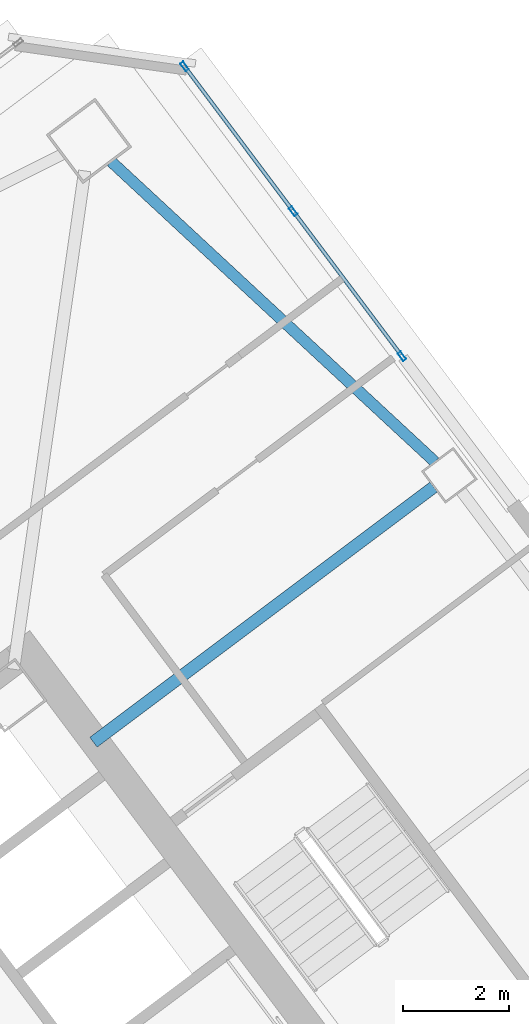
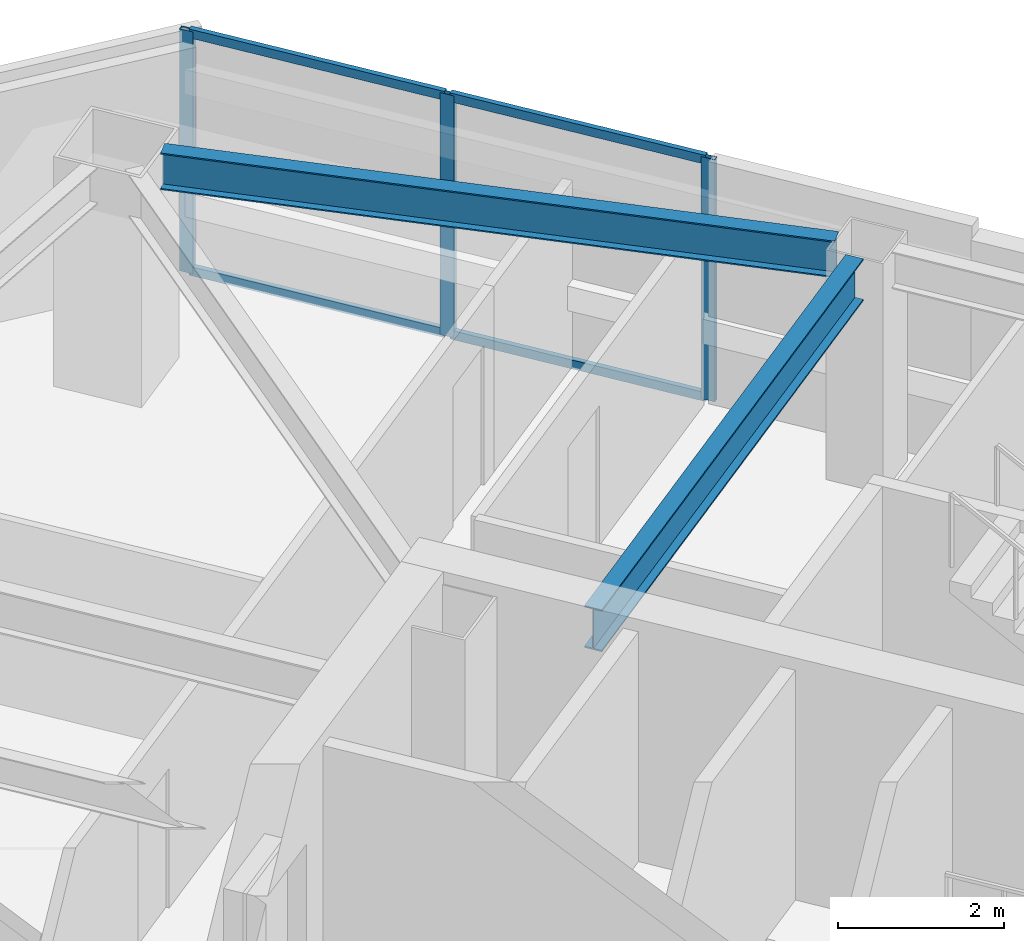
# One storey, part 30 of 43: 7 members, 2 beams, 1 element without a shape of its own.
"""IFC4 building model written with IfcOpenShell, lengths in metres."""

import ifcopenshell
import ifcopenshell.guid

model = None  # the IFC model being written
_history = None  # IfcOwnerHistory: only IFC2X3 demands one
_inside = {}  # id of a spatial element -> (the spatial element, [elements in it])
_under = {}  # id of a project, library or spatial element -> (it, [spatial elements below it])
_declared = {}  # id of a project -> (the project, [libraries it declares])
_typed = {}  # id of a type object -> (the type object, [elements of that type])
_made_of = {}  # id of a material, layer set ... -> (it, [elements and type objects made of it])


def new_model(schema):
    """Start an empty IFC model of exactly this schema.

    Asked for "IFC4X3", IfcOpenShell would pick the latest addendum, in which some entities
    have other attributes; the version numbers below select the first issue.
    IFC2X3 requires an IfcOwnerHistory on every rooted entity: one is made here for all.
    """
    global model, _history
    if schema == "IFC4X3":
        model = ifcopenshell.file(schema_version=(4, 3, 0, 0))
    else:
        model = ifcopenshell.file(schema=schema)
    _inside.clear()
    _under.clear()
    _declared.clear()
    _typed.clear()
    _made_of.clear()
    _history = None
    if model.schema == "IFC2X3":
        org = make("IfcOrganization", Name="unknown")
        user = make(
            "IfcPersonAndOrganization",
            ThePerson=make("IfcPerson", FamilyName="unknown"),
            TheOrganization=org,
        )
        app = make(
            "IfcApplication",
            ApplicationDeveloper=org,
            Version="unknown",
            ApplicationFullName="unknown",
            ApplicationIdentifier="unknown",
        )
        _history = make(
            "IfcOwnerHistory",
            OwningUser=user,
            OwningApplication=app,
            ChangeAction="ADDED",
            CreationDate=0,
        )
    return model


def make(cls, **values):
    """One entity of the class cls with the attributes given. An attribute that is None is left unset."""
    return model.create_entity(
        cls, **{name: value for name, value in values.items() if value is not None}
    )


def rooted(cls, **values):
    """An entity with a GlobalId (a new one), such as an element, a storey or a relation."""
    return make(cls, GlobalId=ifcopenshell.guid.new(), OwnerHistory=_history, **values)


def si_unit(unit_type, name, prefix=None):
    """IfcSIUnit, for example si_unit("LENGTHUNIT", "METRE", prefix="MILLI")."""
    return make("IfcSIUnit", UnitType=unit_type, Prefix=prefix, Name=name)


def assignment(units):
    """IfcUnitAssignment: the units of a project."""
    return None if units is None else make("IfcUnitAssignment", Units=units)


def point(xyz):
    """IfcCartesianPoint."""
    return None if xyz is None else make("IfcCartesianPoint", Coordinates=xyz)


def direction(xyz):
    """IfcDirection."""
    return None if xyz is None else make("IfcDirection", DirectionRatios=xyz)


def frame(location, z_axis=None, x_axis=None):
    """IfcAxis2Placement3D, a coordinate frame: its origin and axes. An axis left out is left unset."""
    return make(
        "IfcAxis2Placement3D",
        Location=point(location),
        Axis=direction(z_axis),
        RefDirection=direction(x_axis),
    )


def frame_2d(location, x_axis=None):
    """IfcAxis2Placement2D, a coordinate frame in the plane: its origin and x axis."""
    return make(
        "IfcAxis2Placement2D", Location=point(location), RefDirection=direction(x_axis)
    )


def origin():
    """The frame at (0, 0, 0) with its axes left unset."""
    return frame((0.0, 0.0, 0.0))


def origin_2d():
    """The frame at (0, 0) in the plane with its x axis left unset."""
    return frame_2d((0.0, 0.0))


def place(relative_to, where):
    """IfcLocalPlacement: puts the frame where relative to a parent placement (None: the world)."""
    return make(
        "IfcLocalPlacement", PlacementRelTo=relative_to, RelativePlacement=where
    )


def context(
    kind, dimensions, precision=None, world=None, true_north=None, identifier=None
):
    """IfcGeometricRepresentationContext, for example the 3D "Model" context."""
    return make(
        "IfcGeometricRepresentationContext",
        ContextIdentifier=identifier,
        ContextType=kind,
        CoordinateSpaceDimension=dimensions,
        Precision=precision,
        WorldCoordinateSystem=world,
        TrueNorth=true_north,
    )


def subcontext(parent, identifier, kind, view, scale=None):
    """IfcGeometricRepresentationSubContext, for example "Body" below "Model"."""
    return make(
        "IfcGeometricRepresentationSubContext",
        ContextIdentifier=identifier,
        ContextType=kind,
        ParentContext=parent,
        TargetScale=scale,
        TargetView=view,
    )


def project(units=None, contexts=None):
    """IfcProject with its units and contexts."""
    return rooted(
        "IfcProject",
        Name="project",
        RepresentationContexts=contexts,
        UnitsInContext=assignment(units),
    )


def spatial(cls, under=None, at=None, **own):
    """A site, building, storey or space (cls), placed at a placement, below another one or the project."""
    s = rooted(cls, ObjectPlacement=at, **own)
    if under is not None:
        _under.setdefault(under.id(), (under, []))[1].append(s)
    return s


def profile(cls, at=None, kind="AREA", **sizes):
    """A parametric profile (cls). Its sizes go by their IFC names, for example OverallWidth=200.0."""
    return make(cls, ProfileType=kind, Position=at, **sizes)


def hollow_rectangle(**sizes):
    """IfcRectangleHollowProfileDef."""
    return profile("IfcRectangleHollowProfileDef", **sizes)


def i_section(**sizes):
    """IfcIShapeProfileDef."""
    return profile("IfcIShapeProfileDef", **sizes)


def extrude(swept, where, along, depth):
    """IfcExtrudedAreaSolid: the profile swept, set in the frame where, extruded along a direction by depth."""
    return make(
        "IfcExtrudedAreaSolid",
        SweptArea=swept,
        Position=where,
        ExtrudedDirection=direction(along),
        Depth=depth,
    )


def shape(context_of_items, identifier, shape_type, items):
    """IfcShapeRepresentation: the items that make up one representation, for example the "Body"."""
    return make(
        "IfcShapeRepresentation",
        ContextOfItems=context_of_items,
        RepresentationIdentifier=identifier,
        RepresentationType=shape_type,
        Items=items,
    )


def material(Name=None, Category=None):
    """IfcMaterial."""
    return make("IfcMaterial", Name=Name, Category=Category)


def material_profile(
    of_material, cross_section, Name=None, Category=None, Priority=None
):
    """IfcMaterialProfile: a cross section and its material."""
    return make(
        "IfcMaterialProfile",
        Name=Name,
        Material=of_material,
        Profile=cross_section,
        Priority=Priority,
        Category=Category,
    )


def profile_set(profiles, Name=None, composite=None):
    """IfcMaterialProfileSet."""
    return make(
        "IfcMaterialProfileSet",
        Name=Name,
        MaterialProfiles=profiles,
        CompositeProfile=composite,
    )


def made_of(thing, what):
    """Note that an element or type object is made of a material, layer set ...; save() writes the relation."""
    if what is not None:
        _made_of.setdefault(what.id(), (what, []))[1].append(thing)
    return thing


def type_object(cls, material=None, **own):
    """A type object (cls), such as IfcWallType, which elements share."""
    return made_of(rooted(cls, **own), material)


def element(
    cls,
    number,
    at=None,
    inside=None,
    cuts=None,
    type_object=None,
    material=None,
    context=None,
    identifier="Body",
    shape_type=None,
    held_by="IfcProductDefinitionShape",
    body=None,
    shapes=None,
    **own,
):
    """One element of the class cls, such as IfcWall. Its Tag is "e" and its number.

    at: its placement. inside: the storey or other place that contains it. cuts: it is an
    opening in that element (IfcRelVoidsElement). A single representation is given by context,
    identifier, shape_type and body (its items); several are given by shapes. held_by: the class
    of the entity that holds the representations. save() writes the other relations.
    """
    e = rooted(cls, Tag="e%d" % number, ObjectPlacement=at, **own)
    if body is not None:
        shapes = [shape(context, identifier, shape_type, body)]
    if shapes is not None:
        e.Representation = make(held_by, Representations=shapes)
    if inside is not None:
        _inside.setdefault(inside.id(), (inside, []))[1].append(e)
    if cuts is not None:
        rooted(
            "IfcRelVoidsElement", RelatingBuildingElement=cuts, RelatedOpeningElement=e
        )
    if type_object is not None:
        _typed.setdefault(type_object.id(), (type_object, []))[1].append(e)
    return made_of(e, material)


def aggregate(whole, parts):
    """IfcRelAggregates: a whole, such as a stair, and the parts it consists of."""
    return rooted("IfcRelAggregates", RelatingObject=whole, RelatedObjects=parts)


def save(model, path):
    """Write the relations noted so far, then the file.

    IfcRelAggregates (storeys below a building ...), IfcRelContainedInSpatialStructure (elements
    in a storey), IfcRelDefinesByType, IfcRelAssociatesMaterial and IfcRelDeclares: one each for
    every whole, place, type object, material and project.
    """
    for whole, parts in _under.values():
        aggregate(whole, parts)
    for where, things in _inside.values():
        rooted(
            "IfcRelContainedInSpatialStructure",
            RelatedElements=things,
            RelatingStructure=where,
        )
    for kind, things in _typed.values():
        rooted("IfcRelDefinesByType", RelatedObjects=things, RelatingType=kind)
    for what, things in _made_of.values():
        rooted("IfcRelAssociatesMaterial", RelatedObjects=things, RelatingMaterial=what)
    for by, libraries in _declared.values():
        rooted("IfcRelDeclares", RelatingContext=by, RelatedDefinitions=libraries)
    model.write(path)


model = new_model("IFC4")

# Units and contexts
model_context = context("Model", 3, precision=1e-05, world=origin(), true_north=direction((0.0, 1.0)))
body_context = subcontext(model_context, "Body", "Model", "MODEL_VIEW")
ifc_project = project(units=[si_unit("LENGTHUNIT", "METRE"), si_unit("AREAUNIT", "SQUARE_METRE"), si_unit("VOLUMEUNIT", "CUBIC_METRE"), si_unit("PLANEANGLEUNIT", "RADIAN"), si_unit("MASSUNIT", "GRAM", prefix="KILO")], contexts=[model_context])

# Site, building, storey
site_placement = place(None, origin())
site = spatial("IfcSite", under=ifc_project, at=site_placement, CompositionType="ELEMENT")
building_placement = place(site_placement, origin())
building = spatial("IfcBuilding", under=site, at=building_placement, Name="Tashvorn Skyway Center", CompositionType="ELEMENT")
storey_placement = place(building_placement, frame((0.0, 0.0, 185.39990234375)))
storey = spatial("IfcBuildingStorey", under=building, at=storey_placement, Name="L50", CompositionType="ELEMENT", Elevation=185.39990234375)

# Beams
ifc_material_1 = material(Name="Steel ASTM A992 Grade 50", Category="steel")
ifc_material_profile_1 = material_profile(ifc_material_1, i_section(OverallWidth=0.22998046875, OverallDepth=0.616943359375, WebThickness=0.01318359375, FlangeThickness=0.022216796875, at=origin_2d()), Name="W24X94")
ifc_profile_set_1 = profile_set([ifc_material_profile_1], Name="Steel ASTM A992 Grade 50")
beam_type_1 = type_object("IfcBeamType", Name="BM-BEAM-W24X94", PredefinedType="BEAM", material=ifc_profile_set_1)
beam_1_placement = place(storey_placement, frame((123.384033203125, 45.7880859375, 3.0615234375), z_axis=(-0.800003662027, -0.599995117266, 0.0), x_axis=(0.599995117266, -0.800003662027, 0.0)))
element("IfcBeam", 1, at=beam_1_placement, inside=storey, type_object=beam_type_1, Name="Tower 2 L50 Primary Floor Girder FC-E2", PredefinedType="BEAM", context=body_context, shape_type="SweptSolid", body=[
    extrude(i_section(OverallWidth=0.22998046875, OverallDepth=0.616943359375, WebThickness=0.01318359375, FlangeThickness=0.022216796875, at=origin_2d()), origin(), (0.0, 0.0, 1.0), 8.000244140625),
])
ifc_material_profile_2 = material_profile(ifc_material_1, i_section(OverallWidth=0.2109375, OverallDepth=0.5390625, WebThickness=0.01171875, FlangeThickness=0.018798828125, at=origin_2d()), Name="W21X73")
ifc_profile_set_2 = profile_set([ifc_material_profile_2], Name="Steel ASTM A992 Grade 50")
beam_type_2 = type_object("IfcBeamType", Name="BM-SPANDREL-W21X73", PredefinedType="SPANDREL", material=ifc_profile_set_2)
beam_2_placement = place(storey_placement, frame((123.40869140625, 46.26171875, 3.1005859375), z_axis=(-0.733101115618, 0.680119661736, 0.0), x_axis=(-0.680119661736, -0.733101115618, 0.0)))
element("IfcBeam", 2, at=beam_2_placement, inside=storey, type_object=beam_type_2, Name="Tower 2 L50 Spandrel Beam 06", PredefinedType="SPANDREL", context=body_context, shape_type="SweptSolid", body=[
    extrude(i_section(OverallWidth=0.2109375, OverallDepth=0.5390625, WebThickness=0.01171875, FlangeThickness=0.018798828125, at=origin_2d()), origin(), (0.0, 0.0, 1.0), 8.308349609375),
])

# Curtain wall, members
ifc_material_2 = material(Name="Thermally broken bronze-anodized aluminium 6063-T6", Category="aluminium")
curtain_wall_type = type_object("IfcCurtainWallType", Name="CW-CW-Z4", PredefinedType="NOTDEFINED", material=ifc_material_2)
curtain_wall_placement = place(storey_placement, origin())
curtain_wall = element("IfcCurtainWall", 3, at=curtain_wall_placement, inside=storey, type_object=curtain_wall_type, Name="Tower 2 L50 East Curtain Wall L Glazing Group 1", PredefinedType="NOTDEFINED")
ifc_material_profile_3 = material_profile(ifc_material_2, hollow_rectangle(XDim=0.070068359375, YDim=0.179931640625, WallThickness=0.00390625, at=origin_2d()), Name="ALU-MULL-70x180")
ifc_profile_set_3 = profile_set([ifc_material_profile_3], Name="Thermally broken bronze-anodized aluminium 6063-T6")
member_type_1 = type_object("IfcMemberType", Name="CWM-CW-Z4", PredefinedType="MULLION", material=ifc_profile_set_3)
member_1_placement = place(storey_placement, frame((118.697021484375, 53.7041015625, 0.0), z_axis=(0.0, 0.0, 1.0), x_axis=(0.79999825749, 0.60000232334, 0.0)))
member_1 = element("IfcMember", 4, at=member_1_placement, type_object=member_type_1, Name="CW-Z4 mullion 1", PredefinedType="MULLION", context=body_context, shape_type="SweptSolid", body=[
    extrude(hollow_rectangle(XDim=0.070068359375, YDim=0.179931640625, WallThickness=0.00390625, at=origin_2d()), origin(), (0.0, 0.0, 1.0), 3.550048828125),
])
member_2_placement = place(storey_placement, frame((120.741943359375, 50.977294921875, 0.0), z_axis=(0.0, 0.0, 1.0), x_axis=(0.79999825749, 0.60000232334, 0.0)))
member_2 = element("IfcMember", 5, at=member_2_placement, type_object=member_type_1, Name="CW-Z4 mullion 2", PredefinedType="MULLION", context=body_context, shape_type="SweptSolid", body=[
    extrude(hollow_rectangle(XDim=0.070068359375, YDim=0.179931640625, WallThickness=0.00390625, at=origin_2d()), origin(), (0.0, 0.0, 1.0), 3.550048828125),
])
member_3_placement = place(storey_placement, frame((122.787109375, 48.250732421875, 0.0), z_axis=(0.0, 0.0, 1.0), x_axis=(0.79999825749, 0.60000232334, 0.0)))
member_3 = element("IfcMember", 6, at=member_3_placement, type_object=member_type_1, Name="CW-Z4 mullion 3", PredefinedType="MULLION", context=body_context, shape_type="SweptSolid", body=[
    extrude(hollow_rectangle(XDim=0.070068359375, YDim=0.179931640625, WallThickness=0.00390625, at=origin_2d()), origin(), (0.0, 0.0, 1.0), 3.550048828125),
])
ifc_material_profile_4 = material_profile(ifc_material_2, hollow_rectangle(XDim=0.070068359375, YDim=0.1298828125, WallThickness=0.00390625, at=origin_2d()), Name="ALU-TRAN-70x130")
ifc_profile_set_4 = profile_set([ifc_material_profile_4], Name="Thermally broken bronze-anodized aluminium 6063-T6")
member_type_2 = type_object("IfcMemberType", Name="CWT-CW-Z4", PredefinedType="USERDEFINED", material=ifc_profile_set_4)
member_4_placement = place(storey_placement, frame((118.718017578125, 53.676025390625, 0.03515625), z_axis=(0.599988298555, -0.80000877595, 0.0), x_axis=(0.80000877595, 0.599988298555, 0.0)))
member_4 = element("IfcMember", 7, at=member_4_placement, type_object=member_type_2, Name="CW-Z4 transom 1.1", ObjectType="TRANSOM", PredefinedType="USERDEFINED", context=body_context, shape_type="SweptSolid", body=[
    extrude(hollow_rectangle(XDim=0.070068359375, YDim=0.1298828125, WallThickness=0.00390625, at=origin_2d()), origin(), (0.0, 0.0, 1.0), 3.33837890625),
])
member_5_placement = place(storey_placement, frame((118.718017578125, 53.676025390625, 3.51513671875), z_axis=(0.599988298555, -0.80000877595, 0.0), x_axis=(0.80000877595, 0.599988298555, 0.0)))
member_5 = element("IfcMember", 8, at=member_5_placement, type_object=member_type_2, Name="CW-Z4 transom 1.2", ObjectType="TRANSOM", PredefinedType="USERDEFINED", context=body_context, shape_type="SweptSolid", body=[
    extrude(hollow_rectangle(XDim=0.070068359375, YDim=0.1298828125, WallThickness=0.00390625, at=origin_2d()), origin(), (0.0, 0.0, 1.0), 3.33837890625),
])
member_6_placement = place(storey_placement, frame((120.762939453125, 50.949462890625, 0.03515625), z_axis=(0.600035102024, -0.799973672278, 0.0), x_axis=(0.799973672278, 0.600035102024, 0.0)))
member_6 = element("IfcMember", 9, at=member_6_placement, type_object=member_type_2, Name="CW-Z4 transom 2.1", ObjectType="TRANSOM", PredefinedType="USERDEFINED", context=body_context, shape_type="SweptSolid", body=[
    extrude(hollow_rectangle(XDim=0.070068359375, YDim=0.1298828125, WallThickness=0.00390625, at=origin_2d()), origin(), (0.0, 0.0, 1.0), 3.33837890625),
])
member_7_placement = place(storey_placement, frame((120.762939453125, 50.949462890625, 3.51513671875), z_axis=(0.600035102024, -0.799973672278, 0.0), x_axis=(0.799973672278, 0.600035102024, 0.0)))
member_7 = element("IfcMember", 10, at=member_7_placement, type_object=member_type_2, Name="CW-Z4 transom 2.2", ObjectType="TRANSOM", PredefinedType="USERDEFINED", context=body_context, shape_type="SweptSolid", body=[
    extrude(hollow_rectangle(XDim=0.070068359375, YDim=0.1298828125, WallThickness=0.00390625, at=origin_2d()), origin(), (0.0, 0.0, 1.0), 3.33837890625),
])
aggregate(curtain_wall, [member_1, member_2, member_3, member_4, member_5, member_6, member_7])

save(model, "model.ifc")
